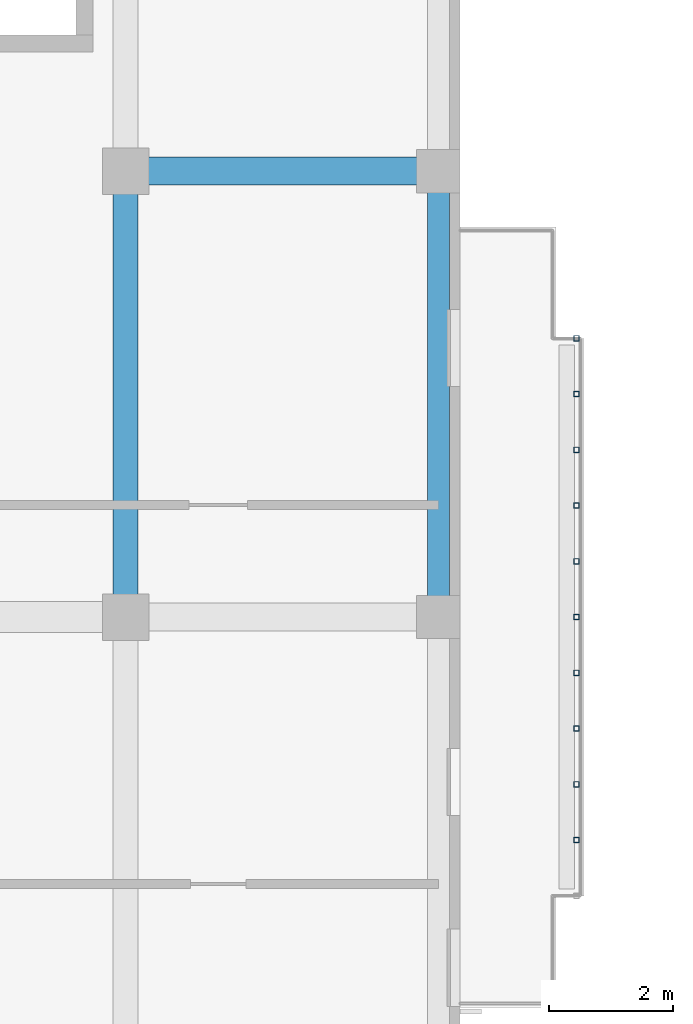
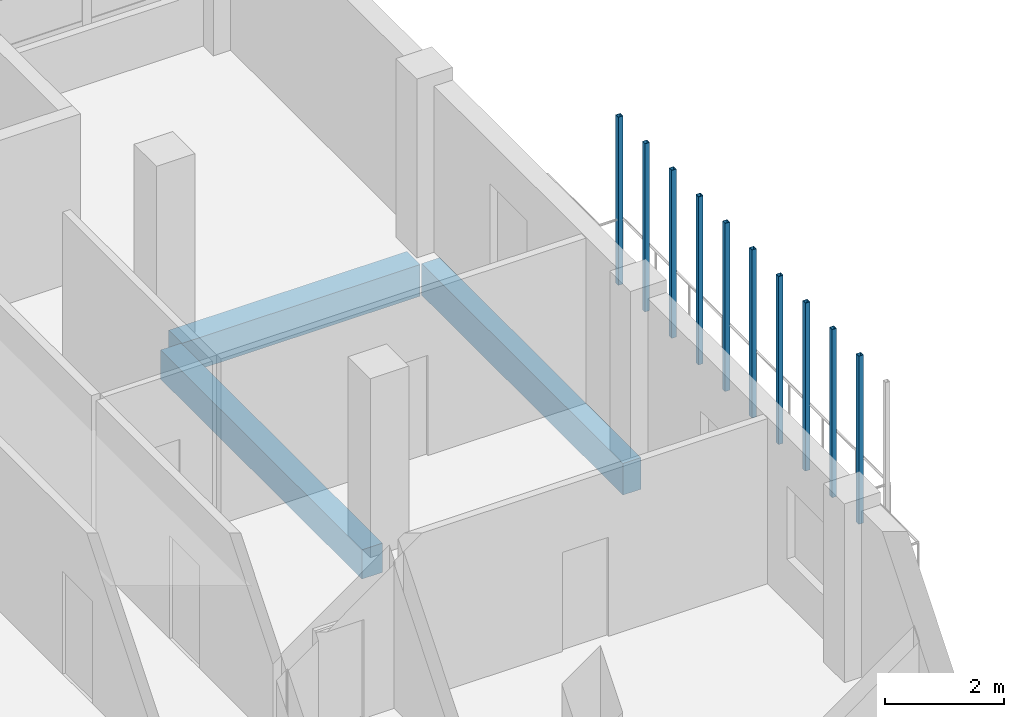
# One storey, part 10 of 73: 10 members, 3 beams.
"""IFC4 building model written with IfcOpenShell, lengths in metres."""

from ifc_helpers import new_model, si_unit, derived_unit, direction, frame, origin, origin_2d, place, context, subcontext, project, spatial, rectangle, hollow_rectangle, extrude, material, material_profile, profile_set, type_object, element, save


model = new_model("IFC4")

# Units and contexts
model_context = context("Model", 3, precision=1e-05, world=origin(), true_north=direction((0.0, 1.0)))
body_context = subcontext(model_context, "Body", "Model", "MODEL_VIEW")
ifc_project = project(units=[si_unit("LENGTHUNIT", "METRE"), si_unit("AREAUNIT", "SQUARE_METRE"), si_unit("VOLUMEUNIT", "CUBIC_METRE"), si_unit("PLANEANGLEUNIT", "RADIAN"), si_unit("MASSUNIT", "GRAM", prefix="KILO"), derived_unit("THERMALTRANSMITTANCEUNIT", [(si_unit("MASSUNIT", "GRAM", prefix="KILO"), 1), (si_unit("TIMEUNIT", "SECOND"), -3), (si_unit("THERMODYNAMICTEMPERATUREUNIT", "KELVIN"), -1)])], contexts=[model_context])

# Site, building, storey
site_placement = place(None, origin())
site = spatial("IfcSite", under=ifc_project, at=site_placement, CompositionType="ELEMENT")
building_placement = place(site_placement, origin())
building = spatial("IfcBuilding", under=site, at=building_placement, Name="Ochrekiln Boulevard Commons", CompositionType="ELEMENT")
storey_placement = place(building_placement, frame((0.0, 0.0, 4.89990234375)))
storey = spatial("IfcBuildingStorey", under=building, at=storey_placement, Name="L01", CompositionType="ELEMENT", Elevation=4.89990234375)

# Beams
ifc_material_1 = material(Name="Concrete C35/45", Category="concrete")
ifc_material_profile_1 = material_profile(ifc_material_1, rectangle(XDim=0.39990234375, YDim=0.60009765625, at=origin_2d()), Name="RC-BM-400x600")
ifc_profile_set_1 = profile_set([ifc_material_profile_1], Name="Concrete C35/45")
beam_type_1 = type_object("IfcBeamType", Name="BM-RC-400x600", PredefinedType="BEAM", material=ifc_profile_set_1)
beam_1_placement = place(storey_placement, frame((16.199951171875, 36.2099609375, -0.559814453125), z_axis=(0.0, 1.0, 0.0), x_axis=(-1.0, 0.0, 0.0)))
element("IfcBeam", 1, at=beam_1_placement, inside=storey, type_object=beam_type_1, Name="Block D L01 Beam B-4060 Y42", PredefinedType="BEAM", context=body_context, shape_type="SweptSolid", body=[
    extrude(rectangle(XDim=0.39990234375, YDim=0.60009765625, at=origin_2d()), origin(), (0.0, 0.0, 1.0), 6.780029296875),
])
ifc_material_profile_2 = material_profile(ifc_material_1, rectangle(XDim=0.449951171875, YDim=0.64990234375, at=origin_2d()), Name="RC-BM-450x650")
ifc_profile_set_2 = profile_set([ifc_material_profile_2], Name="Concrete C35/45")
beam_type_2 = type_object("IfcBeamType", Name="BM-RC-450x650", PredefinedType="BEAM", material=ifc_profile_set_2)
beam_2_placement = place(storey_placement, frame((16.409912109375, 43.199951171875, -0.5849609375), z_axis=(1.0, 0.0, 0.0), x_axis=(0.0, 1.0, 0.0)))
element("IfcBeam", 2, at=beam_2_placement, inside=storey, type_object=beam_type_2, Name="Block D L01 Beam B-4565 X19", PredefinedType="BEAM", context=body_context, shape_type="SweptSolid", body=[
    extrude(rectangle(XDim=0.449951171875, YDim=0.64990234375, at=origin_2d()), origin(), (0.0, 0.0, 1.0), 4.630126953125),
])

# Members
ifc_material_2 = material(Name="Steel A500 Grade C", Category="steel")
ifc_material_profile_3 = material_profile(ifc_material_2, hollow_rectangle(XDim=0.090087890625, YDim=0.090087890625, WallThickness=0.00634765625, at=origin_2d()), Name="HSS90X90X6.4")
ifc_profile_set_3 = profile_set([ifc_material_profile_3], Name="Steel A500 Grade C")
member_type = type_object("IfcMemberType", Name="MEM-PST-HSS90", PredefinedType="POST", material=ifc_profile_set_3)
for number, where, z_axis, x_axis, name in (
    (3, (23.47998046875, 32.39990234375, 0.0), (0.0, 0.0, 1.0), (1.0, 0.0, 0.0), "Block D L01 Slim Vertical Balcony Post (299)"),
    (4, (23.47998046875, 33.300048828125, 0.0), (0.0, 0.0, 1.0), (1.0, 0.0, 0.0), "Block D L01 Slim Vertical Balcony Post (300)"),
    (5, (23.47998046875, 34.199951171875, 0.0), (0.0, 0.0, 1.0), (1.0, 0.0, 0.0), "Block D L01 Slim Vertical Balcony Post (301)"),
    (6, (23.47998046875, 35.10009765625, 0.0), (0.0, 0.0, 1.0), (1.0, 0.0, 0.0), "Block D L01 Slim Vertical Balcony Post (302)"),
    (7, (23.47998046875, 36.0, 0.0), (0.0, 0.0, 1.0), (1.0, 0.0, 0.0), "Block D L01 Slim Vertical Balcony Post (303)"),
    (8, (23.47998046875, 36.89990234375, 0.0), (0.0, 0.0, 1.0), (1.0, 0.0, 0.0), "Block D L01 Slim Vertical Balcony Post (304)"),
    (9, (23.47998046875, 37.800048828125, 0.0), (0.0, 0.0, 1.0), (1.0, 0.0, 0.0), "Block D L01 Slim Vertical Balcony Post (305)"),
    (10, (23.47998046875, 38.699951171875, 0.0), (0.0, 0.0, 1.0), (1.0, 0.0, 0.0), "Block D L01 Slim Vertical Balcony Post (306)"),
    (11, (23.47998046875, 39.60009765625, 0.0), (0.0, 0.0, 1.0), (1.0, 0.0, 0.0), "Block D L01 Slim Vertical Balcony Post (307)"),
    (12, (23.47998046875, 40.5, 0.0), (0.0, 0.0, 1.0), (1.0, 0.0, 0.0), "Block D L01 Slim Vertical Balcony Post (308)"),
):
    element("IfcMember", number, at=place(storey_placement, frame(where, z_axis=z_axis, x_axis=x_axis)), inside=storey, type_object=member_type, Name=name, PredefinedType="POST", context=body_context, shape_type="SweptSolid", body=[
        extrude(hollow_rectangle(XDim=0.090087890625, YDim=0.090087890625, WallThickness=0.00634765625, at=origin_2d()), origin(), (0.0, 0.0, 1.0), 3.455078125),
    ])

# Beam
ifc_material_3 = material(Name="Concrete C40/50", Category="concrete")
ifc_material_profile_4 = material_profile(ifc_material_3, rectangle(XDim=0.35009765625, YDim=0.64990234375, at=origin_2d()), Name="RC-SPN-350x650")
ifc_profile_set_4 = profile_set([ifc_material_profile_4], Name="Concrete C40/50")
beam_type_3 = type_object("IfcBeamType", Name="SPN-RC-350x650", PredefinedType="SPANDREL", material=ifc_profile_set_4)
beam_3_placement = place(storey_placement, frame((21.25, 36.2099609375, -0.5849609375), z_axis=(0.0, 1.0, 0.0), x_axis=(-1.0, 0.0, 0.0)))
element("IfcBeam", 13, at=beam_3_placement, inside=storey, type_object=beam_type_3, Name="Block D L01 Beam SP-3565 Y49", PredefinedType="SPANDREL", context=body_context, shape_type="SweptSolid", body=[
    extrude(rectangle(XDim=0.35009765625, YDim=0.64990234375, at=origin_2d()), origin(), (0.0, 0.0, 1.0), 6.780029296875),
])

save(model, "model.ifc")
